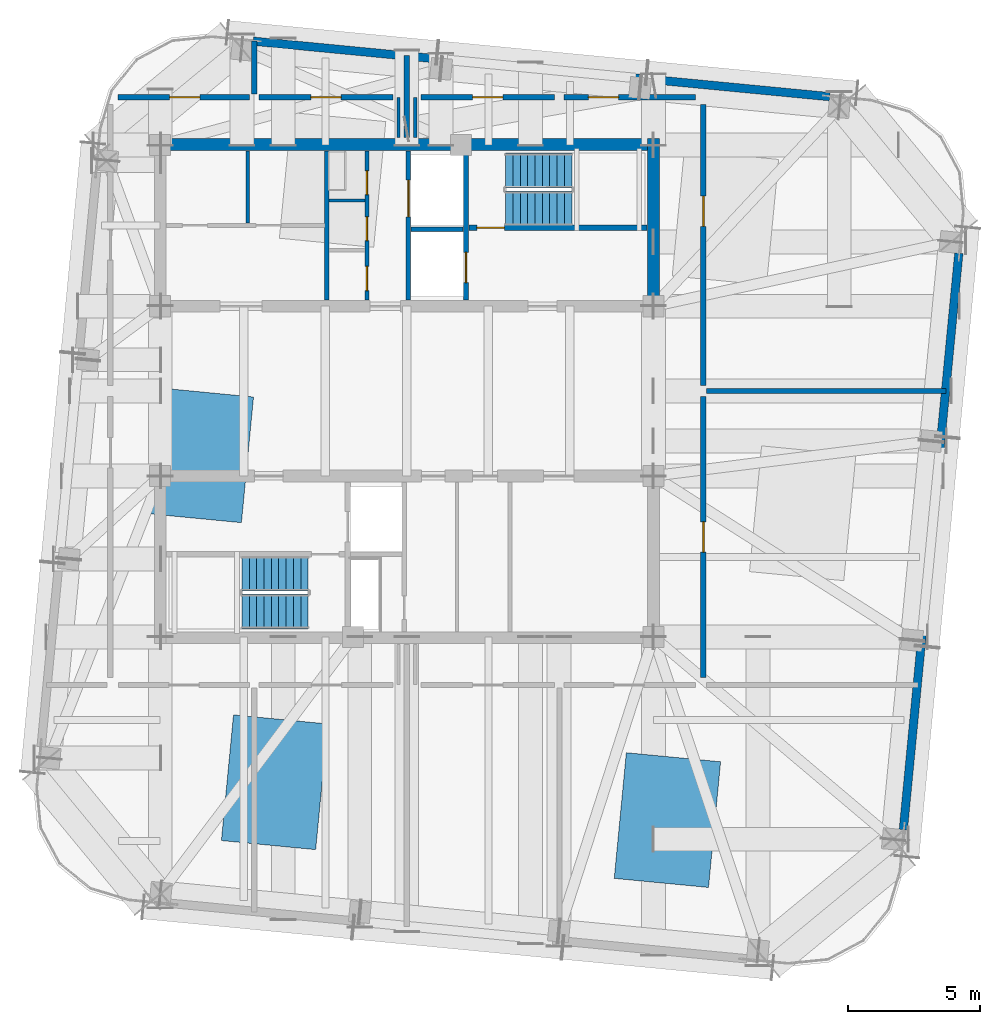
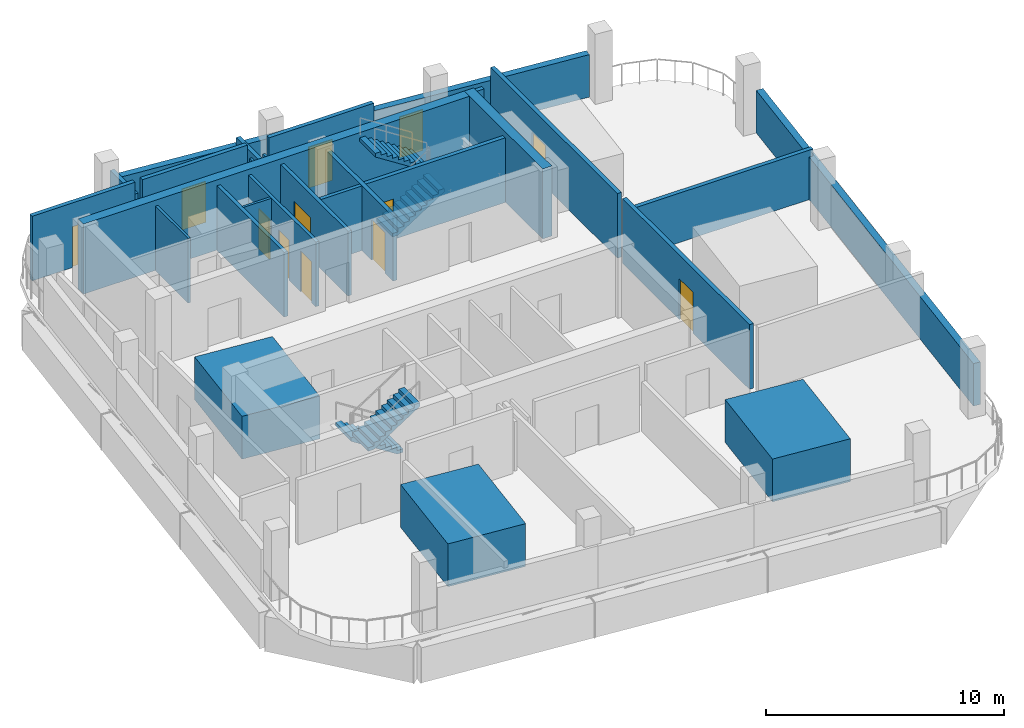
# One storey, part 5 of 10: 23 walls, 12 doors, 4 stair flights, 3 discrete accessories, 12 openings, 2 elements without a shape of their own.
"""IFC4 building model written with IfcOpenShell, lengths in metres."""

from ifc_helpers import new_model, si_unit, direction, frame, frame_2d, origin, origin_2d, place, context, subcontext, project, spatial, polyline, rectangle, outline, extrude, material, layer, layer_set, type_object, element, fill, aggregate, save


model = new_model("IFC4")

# Units and contexts
model_context = context("Model", 3, precision=1e-05, world=origin(), true_north=direction((0.0, 1.0)))
body_context = subcontext(model_context, "Body", "Model", "MODEL_VIEW")
ifc_project = project(units=[si_unit("LENGTHUNIT", "METRE"), si_unit("AREAUNIT", "SQUARE_METRE"), si_unit("VOLUMEUNIT", "CUBIC_METRE"), si_unit("PLANEANGLEUNIT", "RADIAN"), si_unit("MASSUNIT", "GRAM", prefix="KILO")], contexts=[model_context])

# Site, building, storey
site_placement = place(None, origin())
site = spatial("IfcSite", under=ifc_project, at=site_placement, CompositionType="ELEMENT")
building_placement = place(site_placement, origin())
building = spatial("IfcBuilding", under=site, at=building_placement, Name="Qhalaya Broadcast Tower", CompositionType="ELEMENT")
storey_placement = place(building_placement, frame((0.0, 0.0, 289.25)))
storey = spatial("IfcBuildingStorey", under=building, at=storey_placement, Name="L85", CompositionType="ELEMENT", Elevation=289.25)

# Wall, openings, doors
ifc_material_1 = material(Name="Gypsum Acoustic Partition")
ifc_layer_1 = layer(ifc_material_1, 0.14990234375, Name="Gypsum Acoustic Partition")
ifc_layer_set_1 = layer_set([ifc_layer_1], Name="Gypsum Acoustic Partition")
wall_type_1 = type_object("IfcWallType", Name="Corridor & Tenancy Acoustic Partition 150", PredefinedType="PARTITIONING", material=ifc_layer_set_1)
wall_1_placement = place(storey_placement, frame((-1.52001953125, 4.070068359375, 0.0), z_axis=(0.0, 0.0, 1.0), x_axis=(0.0, 1.0, 0.0)))
wall_1 = element("IfcWall", 1, at=wall_1_placement, inside=storey, type_object=wall_type_1, Name="L85 Partition Wall NCW-SVL", PredefinedType="PARTITIONING", context=body_context, shape_type="SweptSolid", body=[
    extrude(rectangle(XDim=5.659912109375, YDim=0.14990234375, at=frame_2d((2.830078125, 0.0))), origin(), (0.0, 0.0, 1.0), 3.320068359375),
])
opening_1_placement = place(wall_1_placement, frame((4.0, 0.0, 0.0)))
opening_1 = element("IfcOpeningElement", 2, at=opening_1_placement, cuts=wall_1, Name="Opening D06", PredefinedType="OPENING", context=body_context, shape_type="SweptSolid", body=[
    extrude(rectangle(XDim=0.89990234375, YDim=2.050048828125, at=frame_2d((0.449951171875, 1.02490234375))), frame((0.0, 0.0869140625, 0.0), z_axis=(0.0, -1.0, 0.0), x_axis=(1.0, 0.0, 0.0)), (0.0, 0.0, 1.0), 0.173828125),
])
opening_2_placement = place(wall_1_placement, frame((2.25, 0.0, 0.0)))
opening_2 = element("IfcOpeningElement", 3, at=opening_2_placement, cuts=wall_1, Name="Opening D06", PredefinedType="OPENING", context=body_context, shape_type="SweptSolid", body=[
    extrude(rectangle(XDim=0.89990234375, YDim=2.050048828125, at=frame_2d((0.449951171875, 1.02490234375))), frame((0.0, 0.0869140625, 0.0), z_axis=(0.0, -1.0, 0.0), x_axis=(1.0, 0.0, 0.0)), (0.0, 0.0, 1.0), 0.173828125),
])
opening_3_placement = place(wall_1_placement, frame((0.35009765625, 0.0, 0.0)))
opening_3 = element("IfcOpeningElement", 4, at=opening_3_placement, cuts=wall_1, Name="Opening D12", PredefinedType="OPENING", context=body_context, shape_type="SweptSolid", body=[
    extrude(rectangle(XDim=0.919921875, YDim=2.10009765625, at=frame_2d((0.4599609375, 1.050048828125))), frame((0.0, 0.0869140625, 0.0), z_axis=(0.0, -1.0, 0.0), x_axis=(1.0, 0.0, 0.0)), (0.0, 0.0, 1.0), 0.173828125),
])
ifc_material_2 = material(Name="Timber Veneer Acoustic Door", Category="wood")
door_type_1 = type_object("IfcDoorType", Name="Accessible WC & Restroom Door D12", OperationType="NOTDEFINED", PredefinedType="DOOR", material=ifc_material_2)
door_1_placement = place(opening_3_placement, origin())
door_1 = element("IfcDoor", 5, at=door_1_placement, inside=storey, type_object=door_type_1, Name="L85 Door D-NCWC", OperationType="SINGLE_SWING_RIGHT", OverallHeight=2.10009765625, OverallWidth=0.919921875, PredefinedType="DOOR", context=body_context, shape_type="SweptSolid", body=[
    extrude(rectangle(XDim=0.919921875, YDim=2.10009765625, at=frame_2d((0.4599609375, 1.050048828125))), frame((0.0, 0.02490234375, 0.0), z_axis=(0.0, -1.0, 0.0), x_axis=(1.0, 0.0, 0.0)), (0.0, 0.0, 1.0), 0.050048828125),
])
fill(opening_3, door_1)
ifc_material_3 = material(Name="Fire-Rated Steel Door", Category="steel")
door_type_2 = type_object("IfcDoorType", Name="Riser & Electrical Shaft Access Door D06", OperationType="NOTDEFINED", PredefinedType="DOOR", material=ifc_material_3)
door_2_placement = place(opening_1_placement, origin())
door_2 = element("IfcDoor", 6, at=door_2_placement, inside=storey, type_object=door_type_2, Name="L85 Riser Shaft Access Door D-NRSR", OperationType="SINGLE_SWING_RIGHT", OverallHeight=2.050048828125, OverallWidth=0.89990234375, PredefinedType="DOOR", context=body_context, shape_type="SweptSolid", body=[
    extrude(rectangle(XDim=0.89990234375, YDim=2.050048828125, at=frame_2d((0.449951171875, 1.02490234375))), frame((0.0, 0.02490234375, 0.0), z_axis=(0.0, -1.0, 0.0), x_axis=(1.0, 0.0, 0.0)), (0.0, 0.0, 1.0), 0.050048828125),
])
fill(opening_1, door_2)
door_3_placement = place(opening_2_placement, origin())
door_3 = element("IfcDoor", 7, at=door_3_placement, inside=storey, type_object=door_type_2, Name="L85 Door D-NITR", OperationType="SINGLE_SWING_LEFT", OverallHeight=2.050048828125, OverallWidth=0.89990234375, PredefinedType="DOOR", context=body_context, shape_type="SweptSolid", body=[
    extrude(rectangle(XDim=0.89990234375, YDim=2.050048828125, at=frame_2d((0.449951171875, 1.02490234375))), frame((0.0, 0.02490234375, 0.0), z_axis=(0.0, -1.0, 0.0), x_axis=(1.0, 0.0, 0.0)), (0.0, 0.0, 1.0), 0.050048828125),
])
fill(opening_2, door_3)

# Wall
ifc_layer_2 = layer(ifc_material_1, 0.199951171875, Name="Gypsum Acoustic Partition")
ifc_layer_set_2 = layer_set([ifc_layer_2], Name="Gypsum Acoustic Partition")
wall_type_2 = type_object("IfcWallType", Name="Firefighting Lobby & Stair Enclosure Wall 200", PredefinedType="PARTITIONING", material=ifc_layer_set_2)
wall_2_placement = place(storey_placement, frame((0.0, 10.239990234375, 0.0), z_axis=(0.0, 0.0, 1.0), x_axis=(0.0, 1.0, 0.0)))
element("IfcWall", 8, at=wall_2_placement, inside=storey, type_object=wall_type_2, Name="L85 Partition Wall W-OBN", PredefinedType="PARTITIONING", context=body_context, shape_type="SweptSolid", body=[
    extrude(rectangle(XDim=3.1171875, YDim=0.199951171875, at=frame_2d((1.55859375, 0.0))), origin(), (0.0, 0.0, 1.0), 2.5380859375),
])

# Wall, opening, door
wall_3_placement = place(storey_placement, frame((-5.97998046875, 11.77001953125, 0.0), z_axis=(0.0, 0.0, 1.0), x_axis=(-1.0, 0.0, 0.0)))
wall_3 = element("IfcWall", 9, at=wall_3_placement, inside=storey, type_object=wall_type_2, Name="L85 Partition Wall W-PCN0", PredefinedType="PARTITIONING", context=body_context, shape_type="SweptSolid", body=[
    extrude(rectangle(XDim=4.989990234375, YDim=0.199951171875, at=frame_2d((2.4951171875, 0.0))), origin(), (0.0, 0.0, 1.0), 3.320068359375),
])
opening_4_placement = place(wall_3_placement, frame((1.889892578125, 0.0, 0.0)))
opening_4 = element("IfcOpeningElement", 10, at=opening_4_placement, cuts=wall_3, Name="Opening D05", PredefinedType="OPENING", context=body_context, shape_type="SweptSolid", body=[
    extrude(rectangle(XDim=1.14990234375, YDim=2.10009765625, at=frame_2d((0.574951171875, 1.050048828125))), frame((0.0, 0.112060546875, 0.0), z_axis=(0.0, -1.0, 0.0), x_axis=(1.0, 0.0, 0.0)), (0.0, 0.0, 1.0), 0.223876953125),
])
door_type_3 = type_object("IfcDoorType", Name="Refuge & Plant Room Fire Door D05", OperationType="NOTDEFINED", PredefinedType="DOOR", material=ifc_material_3)
door_4_placement = place(opening_4_placement, origin())
door_4 = element("IfcDoor", 11, at=door_4_placement, inside=storey, type_object=door_type_3, Name="L85 Door D-PCN0", OperationType="SINGLE_SWING_LEFT", OverallHeight=2.10009765625, OverallWidth=1.14990234375, PredefinedType="DOOR", context=body_context, shape_type="SweptSolid", body=[
    extrude(rectangle(XDim=1.14990234375, YDim=2.10009765625, at=frame_2d((0.574951171875, 1.050048828125))), frame((0.0, 0.02490234375, 0.0), z_axis=(0.0, -1.0, 0.0), x_axis=(1.0, 0.0, 0.0)), (0.0, 0.0, 1.0), 0.050048828125),
])
fill(opening_4, door_4)

# Wall
wall_4_placement = place(storey_placement, frame((-5.800048828125, 11.889892578125, 0.0), z_axis=(0.0, 0.0, 1.0), x_axis=(0.0, 1.0, 0.0)))
element("IfcWall", 12, at=wall_4_placement, inside=storey, type_object=wall_type_2, Name="L85 Partition Wall W-PDN1", PredefinedType="PARTITIONING", context=body_context, shape_type="SweptSolid", body=[
    extrude(rectangle(XDim=2.025634765625, YDim=0.199951171875, at=frame_2d((1.0126953125, 0.0))), origin(), (0.0, 0.0, 1.0), 2.5380859375),
])

# Wall, opening, door
wall_5_placement = place(storey_placement, frame((-0.530029296875, 11.77001953125, 0.0), z_axis=(0.0, 0.0, 1.0), x_axis=(-1.0, 0.0, 0.0)))
wall_5 = element("IfcWall", 13, at=wall_5_placement, inside=storey, type_object=wall_type_2, Name="L85 Partition Wall W-PCN1", PredefinedType="PARTITIONING", context=body_context, shape_type="SweptSolid", body=[
    extrude(rectangle(XDim=5.090087890625, YDim=0.199951171875, at=frame_2d((2.544921875, 0.0))), origin(), (0.0, 0.0, 1.0), 3.320068359375),
])
opening_5_placement = place(wall_5_placement, frame((1.969970703125, 0.0, 0.0)))
opening_5 = element("IfcOpeningElement", 14, at=opening_5_placement, cuts=wall_5, Name="Opening D05", PredefinedType="OPENING", context=body_context, shape_type="SweptSolid", body=[
    extrude(rectangle(XDim=1.14990234375, YDim=2.10009765625, at=frame_2d((0.574951171875, 1.050048828125))), frame((0.0, 0.112060546875, 0.0), z_axis=(0.0, -1.0, 0.0), x_axis=(1.0, 0.0, 0.0)), (0.0, 0.0, 1.0), 0.223876953125),
])
door_5_placement = place(opening_5_placement, origin())
door_5 = element("IfcDoor", 15, at=door_5_placement, inside=storey, type_object=door_type_3, Name="L85 Door D-PCN1", OperationType="SINGLE_SWING_LEFT", OverallHeight=2.10009765625, OverallWidth=1.14990234375, PredefinedType="DOOR", context=body_context, shape_type="SweptSolid", body=[
    extrude(rectangle(XDim=1.14990234375, YDim=2.10009765625, at=frame_2d((0.574951171875, 1.050048828125))), frame((0.0, 0.02490234375, 0.0), z_axis=(0.0, -1.0, 0.0), x_axis=(1.0, 0.0, 0.0)), (0.0, 0.0, 1.0), 0.050048828125),
])
fill(opening_5, door_5)

wall_6_placement = place(storey_placement, frame((5.6201171875, 11.77001953125, 0.0), z_axis=(0.0, 0.0, 1.0), x_axis=(-1.0, 0.0, 0.0)))
wall_6 = element("IfcWall", 16, at=wall_6_placement, inside=storey, type_object=wall_type_2, Name="L85 Partition Wall W-PCN2", PredefinedType="PARTITIONING", context=body_context, shape_type="SweptSolid", body=[
    extrude(rectangle(XDim=5.090087890625, YDim=0.199951171875, at=frame_2d((2.544921875, 0.0))), origin(), (0.0, 0.0, 1.0), 3.320068359375),
])
opening_6_placement = place(wall_6_placement, frame((1.969970703125, 0.0, 0.0)))
opening_6 = element("IfcOpeningElement", 17, at=opening_6_placement, cuts=wall_6, Name="Opening D05", PredefinedType="OPENING", context=body_context, shape_type="SweptSolid", body=[
    extrude(rectangle(XDim=1.14990234375, YDim=2.10009765625, at=frame_2d((0.574951171875, 1.050048828125))), frame((0.0, 0.112060546875, 0.0), z_axis=(0.0, -1.0, 0.0), x_axis=(1.0, 0.0, 0.0)), (0.0, 0.0, 1.0), 0.223876953125),
])
door_6_placement = place(opening_6_placement, origin())
door_6 = element("IfcDoor", 18, at=door_6_placement, inside=storey, type_object=door_type_3, Name="L85 Door D-PCN2", OperationType="SINGLE_SWING_LEFT", OverallHeight=2.10009765625, OverallWidth=1.14990234375, PredefinedType="DOOR", context=body_context, shape_type="SweptSolid", body=[
    extrude(rectangle(XDim=1.14990234375, YDim=2.10009765625, at=frame_2d((0.574951171875, 1.050048828125))), frame((0.0, 0.02490234375, 0.0), z_axis=(0.0, -1.0, 0.0), x_axis=(1.0, 0.0, 0.0)), (0.0, 0.0, 1.0), 0.050048828125),
])
fill(opening_6, door_6)

wall_7_placement = place(storey_placement, frame((10.969970703125, 11.77001953125, 0.0), z_axis=(0.0, 0.0, 1.0), x_axis=(-1.0, 0.0, 0.0)))
wall_7 = element("IfcWall", 19, at=wall_7_placement, inside=storey, type_object=wall_type_2, Name="L85 Partition Wall W-PCN3", PredefinedType="PARTITIONING", context=body_context, shape_type="SweptSolid", body=[
    extrude(rectangle(XDim=4.989990234375, YDim=0.199951171875, at=frame_2d((2.4951171875, 0.0))), origin(), (0.0, 0.0, 1.0), 2.181884765625),
])
opening_7_placement = place(wall_7_placement, frame((2.919921875, 0.0, 0.0)))
opening_7 = element("IfcOpeningElement", 20, at=opening_7_placement, cuts=wall_7, Name="Opening D05", PredefinedType="OPENING", context=body_context, shape_type="SweptSolid", body=[
    extrude(rectangle(XDim=1.14990234375, YDim=2.10009765625, at=frame_2d((0.574951171875, 1.050048828125))), frame((0.0, 0.112060546875, 0.0), z_axis=(0.0, -1.0, 0.0), x_axis=(1.0, 0.0, 0.0)), (0.0, 0.0, 1.0), 0.223876953125),
])
door_7_placement = place(opening_7_placement, origin())
door_7 = element("IfcDoor", 21, at=door_7_placement, inside=storey, type_object=door_type_3, Name="L85 Door D-PCN3", OperationType="SINGLE_SWING_LEFT", OverallHeight=2.10009765625, OverallWidth=1.14990234375, PredefinedType="DOOR", context=body_context, shape_type="SweptSolid", body=[
    extrude(rectangle(XDim=1.14990234375, YDim=2.10009765625, at=frame_2d((0.574951171875, 1.050048828125))), frame((0.0, 0.02490234375, 0.0), z_axis=(0.0, -1.0, 0.0), x_axis=(1.0, 0.0, 0.0)), (0.0, 0.0, 1.0), 0.050048828125),
])
fill(opening_7, door_7)

# Wall
wall_8_placement = place(storey_placement, frame((11.389892578125, 0.60009765625, 0.0), z_axis=(0.0, 0.0, 1.0), x_axis=(1.0, 0.0, 0.0)))
element("IfcWall", 22, at=wall_8_placement, inside=storey, type_object=wall_type_2, Name="L85 Partition Wall W-PDE1", PredefinedType="PARTITIONING", context=body_context, shape_type="SweptSolid", body=[
    extrude(rectangle(XDim=9.10498046875, YDim=0.199951171875, at=frame_2d((4.552490234375, 0.0))), origin(), (0.0, 0.0, 1.0), 2.5380859375),
])

# Wall, opening, door
wall_9_placement = place(storey_placement, frame((11.27001953125, -10.2900390625, 0.0), z_axis=(0.0, 0.0, 1.0), x_axis=(0.0, 1.0, 0.0)))
wall_9 = element("IfcWall", 23, at=wall_9_placement, inside=storey, type_object=wall_type_2, Name="L85 Partition Wall W-PCE1", PredefinedType="PARTITIONING", context=body_context, shape_type="SweptSolid", body=[
    extrude(rectangle(XDim=10.679931640625, YDim=0.199951171875, at=frame_2d((5.33984375, 0.0))), origin(), (0.0, 0.0, 1.0), 3.320068359375),
])
opening_8_placement = place(wall_9_placement, frame((4.764892578125, 0.0, 0.0)))
opening_8 = element("IfcOpeningElement", 24, at=opening_8_placement, cuts=wall_9, Name="Opening D05", PredefinedType="OPENING", context=body_context, shape_type="SweptSolid", body=[
    extrude(rectangle(XDim=1.14990234375, YDim=2.10009765625, at=frame_2d((0.574951171875, 1.050048828125))), frame((0.0, 0.112060546875, 0.0), z_axis=(0.0, -1.0, 0.0), x_axis=(1.0, 0.0, 0.0)), (0.0, 0.0, 1.0), 0.223876953125),
])
door_8_placement = place(opening_8_placement, origin())
door_8 = element("IfcDoor", 25, at=door_8_placement, inside=storey, type_object=door_type_3, Name="L85 Door D-PCE1", OperationType="SINGLE_SWING_RIGHT", OverallHeight=2.10009765625, OverallWidth=1.14990234375, PredefinedType="DOOR", context=body_context, shape_type="SweptSolid", body=[
    extrude(rectangle(XDim=1.14990234375, YDim=2.10009765625, at=frame_2d((0.574951171875, 1.050048828125))), frame((0.0, 0.02490234375, 0.0), z_axis=(0.0, -1.0, 0.0), x_axis=(1.0, 0.0, 0.0)), (0.0, 0.0, 1.0), 0.050048828125),
])
fill(opening_8, door_8)

wall_10_placement = place(storey_placement, frame((11.27001953125, 0.81005859375, 0.0), z_axis=(0.0, 0.0, 1.0), x_axis=(0.0, 1.0, 0.0)))
wall_10 = element("IfcWall", 26, at=wall_10_placement, inside=storey, type_object=wall_type_2, Name="L85 Partition Wall W-PCE2", PredefinedType="PARTITIONING", context=body_context, shape_type="SweptSolid", body=[
    extrude(rectangle(XDim=10.679931640625, YDim=0.199951171875, at=frame_2d((5.33984375, 0.0))), origin(), (0.0, 0.0, 1.0), 3.320068359375),
])
opening_9_placement = place(wall_10_placement, frame((6.047119140625, 0.0, 0.0)))
opening_9 = element("IfcOpeningElement", 27, at=opening_9_placement, cuts=wall_10, Name="Opening D05", PredefinedType="OPENING", context=body_context, shape_type="SweptSolid", body=[
    extrude(rectangle(XDim=1.14990234375, YDim=2.10009765625, at=frame_2d((0.574951171875, 1.050048828125))), frame((0.0, 0.112060546875, 0.0), z_axis=(0.0, -1.0, 0.0), x_axis=(1.0, 0.0, 0.0)), (0.0, 0.0, 1.0), 0.223876953125),
])
door_9_placement = place(opening_9_placement, origin())
door_9 = element("IfcDoor", 28, at=door_9_placement, inside=storey, type_object=door_type_3, Name="L85 Door D-PCE2", OperationType="SINGLE_SWING_LEFT", OverallHeight=2.10009765625, OverallWidth=1.14990234375, PredefinedType="DOOR", context=body_context, shape_type="SweptSolid", body=[
    extrude(rectangle(XDim=1.14990234375, YDim=2.10009765625, at=frame_2d((0.574951171875, 1.050048828125))), frame((0.0, 0.02490234375, 0.0), z_axis=(0.0, -1.0, 0.0), x_axis=(1.0, 0.0, 0.0)), (0.0, 0.0, 1.0), 0.050048828125),
])
fill(opening_9, door_9)

ifc_material_4 = material(Name="Concrete C50/60", Category="concrete")
ifc_layer_3 = layer(ifc_material_4, 0.199951171875, Name="Concrete C50/60")
ifc_layer_set_3 = layer_set([ifc_layer_3], Name="Concrete C50/60")
wall_type_3 = type_object("IfcWallType", Name="Load-Bearing Stair Shaft Wall 200", PredefinedType="SHEAR", material=ifc_layer_set_3)
wall_11_placement = place(storey_placement, frame((2.360107421875, 6.804931640625, 0.0), z_axis=(0.0, 0.0, 1.0), x_axis=(1.0, 0.0, 0.0)))
wall_11 = element("IfcWall", 29, at=wall_11_placement, inside=storey, type_object=wall_type_3, Name="L85 Stair Core Shear Wall NCW-ST1", PredefinedType="SHEAR", context=body_context, shape_type="SweptSolid", body=[
    extrude(rectangle(XDim=6.769775390625, YDim=0.199951171875, at=frame_2d((3.384765625, 0.0))), origin(), (0.0, 0.0, 1.0), 3.320068359375),
])
opening_10_placement = place(wall_11_placement, frame((0.300048828125, 0.0, 0.0)))
opening_10 = element("IfcOpeningElement", 30, at=opening_10_placement, cuts=wall_11, Name="Opening D03", PredefinedType="OPENING", context=body_context, shape_type="SweptSolid", body=[
    extrude(rectangle(XDim=1.050048828125, YDim=2.080078125, at=frame_2d((0.52490234375, 1.0400390625))), frame((0.0, 0.112060546875, 0.0), z_axis=(0.0, -1.0, 0.0), x_axis=(1.0, 0.0, 0.0)), (0.0, 0.0, 1.0), 0.223876953125),
])
door_type_4 = type_object("IfcDoorType", Name="Core Stair Protected Fire Door D03", OperationType="NOTDEFINED", PredefinedType="DOOR", material=ifc_material_3)
door_10_placement = place(opening_10_placement, origin())
door_10 = element("IfcDoor", 31, at=door_10_placement, inside=storey, type_object=door_type_4, Name="L85 Door D-NST1", OperationType="SINGLE_SWING_LEFT", OverallHeight=2.080078125, OverallWidth=1.050048828125, PredefinedType="DOOR", context=body_context, shape_type="SweptSolid", body=[
    extrude(rectangle(XDim=1.050048828125, YDim=2.080078125, at=frame_2d((0.52490234375, 1.0400390625))), frame((0.0, 0.02490234375, 0.0), z_axis=(0.0, -1.0, 0.0), x_axis=(1.0, 0.0, 0.0)), (0.0, 0.0, 1.0), 0.050048828125),
])
fill(opening_10, door_10)

wall_12_placement = place(storey_placement, frame((2.25, 4.070068359375, 0.0), z_axis=(0.0, 0.0, 1.0), x_axis=(0.0, 1.0, 0.0)))
wall_12 = element("IfcWall", 32, at=wall_12_placement, inside=storey, type_object=wall_type_3, Name="L85 Stair Core Shear Wall NCW-FF", PredefinedType="SHEAR", context=body_context, shape_type="SweptSolid", body=[
    extrude(rectangle(XDim=5.659912109375, YDim=0.199951171875, at=frame_2d((2.830078125, 0.0))), origin(), (0.0, 0.0, 1.0), 3.320068359375),
])
opening_11_placement = place(wall_12_placement, frame((0.64990234375, 0.0, 0.0)))
opening_11 = element("IfcOpeningElement", 33, at=opening_11_placement, cuts=wall_12, Name="Opening LD2", PredefinedType="OPENING", context=body_context, shape_type="SweptSolid", body=[
    extrude(rectangle(XDim=1.14990234375, YDim=2.080078125, at=frame_2d((0.574951171875, 1.0400390625))), frame((0.0, 0.112060546875, 0.0), z_axis=(0.0, -1.0, 0.0), x_axis=(1.0, 0.0, 0.0)), (0.0, 0.0, 1.0), 0.223876953125),
])
ifc_material_5 = material(Name="Brushed Stainless Steel Lift Door", Category="steel")
door_type_5 = type_object("IfcDoorType", Name="Firefighting Lift Sliding Landing Door LD2", OperationType="DOUBLE_DOOR_SLIDING", PredefinedType="DOOR", material=ifc_material_5)
door_11_placement = place(opening_11_placement, origin())
door_11 = element("IfcDoor", 34, at=door_11_placement, inside=storey, type_object=door_type_5, Name="L85 Door LD-FF1", OperationType="DOUBLE_DOOR_SLIDING", OverallHeight=2.080078125, OverallWidth=1.14990234375, PredefinedType="DOOR", context=body_context, shape_type="SweptSolid", body=[
    extrude(rectangle(XDim=1.14990234375, YDim=2.080078125, at=frame_2d((0.574951171875, 1.0400390625))), frame((0.0, 0.02490234375, 0.0), z_axis=(0.0, -1.0, 0.0), x_axis=(1.0, 0.0, 0.0)), (0.0, 0.0, 1.0), 0.050048828125),
])
fill(opening_11, door_11)

# Walls
ifc_layer_4 = layer(ifc_material_1, 0.1201171875, Name="Gypsum Acoustic Partition")
ifc_layer_set_4 = layer_set([ifc_layer_4], Name="Gypsum Acoustic Partition")
wall_type_4 = type_object("IfcWallType", Name="Office, Booth & Sanitary Partition 120", PredefinedType="PARTITIONING", material=ifc_layer_set_4)
wall_13_placement = place(storey_placement, frame((-2.9599609375, 7.85009765625, 0.0), z_axis=(0.0, 0.0, 1.0), x_axis=(1.0, 0.0, 0.0)))
element("IfcWall", 35, at=wall_13_placement, inside=storey, type_object=wall_type_4, Name="L85 Partition Wall NCW-VB2", PredefinedType="PARTITIONING", context=body_context, shape_type="SweptSolid", body=[
    extrude(rectangle(XDim=1.35986328125, YDim=0.1201171875, at=frame_2d((0.679931640625, 0.0))), origin(), (0.0, 0.0, 1.0), 3.320068359375),
])
wall_14_placement = place(storey_placement, frame((-6.050048828125, 6.97998046875, 0.0), z_axis=(0.0, 0.0, 1.0), x_axis=(0.0, 1.0, 0.0)))
element("IfcWall", 36, at=wall_14_placement, inside=storey, type_object=wall_type_4, Name="L85 Partition Wall NCW-REC2", PredefinedType="PARTITIONING", context=body_context, shape_type="SweptSolid", body=[
    extrude(rectangle(XDim=2.75, YDim=0.1201171875, at=frame_2d((1.375, 0.0))), origin(), (0.0, 0.0, 1.0), 3.320068359375),
])
for number, where, z_axis, x_axis, name in (
    (37, (-0.320068359375, 10.239990234375, 0.0), (0.0, 0.0, 1.0), (0.0, 1.0, 0.0), "L85 Partition Wall W-OBNCW"),
    (38, (0.320068359375, 10.239990234375, 0.0), (0.0, 0.0, 1.0), (0.0, 1.0, 0.0), "L85 Partition Wall W-OBNCE"),
):
    element("IfcWall", number, at=place(storey_placement, frame(where, z_axis=z_axis, x_axis=x_axis)), inside=storey, type_object=wall_type_4, Name=name, PredefinedType="PARTITIONING", context=body_context, shape_type="SweptSolid", body=[
        extrude(rectangle(XDim=1.510009765625, YDim=0.1201171875, at=frame_2d((0.7548828125, 0.0))), origin(), (0.0, 0.0, 1.0), 2.5380859375),
    ])
ifc_material_6 = material(Name="Precast Concrete C40/50", Category="concrete")
ifc_layer_5 = layer(ifc_material_6, 0.320068359375, Name="Precast Concrete C40/50")
ifc_layer_set_5 = layer_set([ifc_layer_5], Name="Precast Concrete C40/50")
wall_type_5 = type_object("IfcWallType", Name="Recessed Neck Insulated Exterior Wall 320", PredefinedType="SOLIDWALL", material=ifc_layer_set_5)
for number, where, z_axis, x_axis, name in (
    (39, (20.979736328125, 5.84375, 0.0), (0.0, 0.0, 1.0), (-0.095842731181, -0.995396489284, 0.0), "L85 Exterior Facade Wall E"),
    (40, (-5.84375, 13.899658203125, 0.0), (0.0, 0.0, 1.0), (0.995396489284, -0.095842731181, 0.0), "L85 Exterior Facade Wall N"),
):
    element("IfcWall", number, at=place(storey_placement, frame(where, z_axis=z_axis, x_axis=x_axis)), inside=storey, type_object=wall_type_5, Name=name, PredefinedType="SOLIDWALL", context=body_context, shape_type="SweptSolid", body=[
        extrude(rectangle(XDim=22.02392578125, YDim=0.320068359375, at=frame_2d((11.011962890625, 0.0))), origin(), (0.0, 0.0, 1.0), 2.181884765625),
    ])

# Wall, opening, door
ifc_layer_6 = layer(ifc_material_1, 0.175048828125, Name="Gypsum Acoustic Partition")
ifc_layer_set_6 = layer_set([ifc_layer_6], Name="Gypsum Acoustic Partition")
wall_type_6 = type_object("IfcWallType", Name="Shaft & Riser Fire Partition 175", PredefinedType="PARTITIONING", material=ifc_layer_set_6)
wall_15_placement = place(storey_placement, frame((0.06005859375, 4.070068359375, 0.0), z_axis=(0.0, 0.0, 1.0), x_axis=(0.0, 1.0, 0.0)))
wall_15 = element("IfcWall", 41, at=wall_15_placement, inside=storey, type_object=wall_type_6, Name="L85 Partition Wall NCW-SVW", PredefinedType="PARTITIONING", context=body_context, shape_type="SweptSolid", body=[
    extrude(rectangle(XDim=5.659912109375, YDim=0.175048828125, at=frame_2d((2.830078125, 0.0))), origin(), (0.0, 0.0, 1.0), 3.320068359375),
])
opening_12_placement = place(wall_15_placement, frame((3.14990234375, 0.0, 0.0)))
opening_12 = element("IfcOpeningElement", 42, at=opening_12_placement, cuts=wall_15, Name="Opening LD3", PredefinedType="OPENING", context=body_context, shape_type="SweptSolid", body=[
    extrude(rectangle(XDim=1.39990234375, YDim=2.1201171875, at=frame_2d((0.699951171875, 1.06005859375))), frame((0.0, 0.099609375, 0.0), z_axis=(0.0, -1.0, 0.0), x_axis=(1.0, 0.0, 0.0)), (0.0, 0.0, 1.0), 0.198974609375),
])
door_type_6 = type_object("IfcDoorType", Name="Service Lift Wide Sliding Landing Door LD3", OperationType="DOUBLE_DOOR_SLIDING", PredefinedType="DOOR", material=ifc_material_5)
door_12_placement = place(opening_12_placement, origin())
door_12 = element("IfcDoor", 43, at=door_12_placement, inside=storey, type_object=door_type_6, Name="L85 Door LD-SV1", OperationType="DOUBLE_DOOR_SLIDING", OverallHeight=2.1201171875, OverallWidth=1.39990234375, PredefinedType="DOOR", context=body_context, shape_type="SweptSolid", body=[
    extrude(rectangle(XDim=1.39990234375, YDim=2.1201171875, at=frame_2d((0.699951171875, 1.06005859375))), frame((0.0, 0.02490234375, 0.0), z_axis=(0.0, -1.0, 0.0), x_axis=(1.0, 0.0, 0.0)), (0.0, 0.0, 1.0), 0.050048828125),
])
fill(opening_12, door_12)

# Walls
wall_16_placement = place(storey_placement, frame((0.159912109375, 6.75, 0.0), z_axis=(0.0, 0.0, 1.0), x_axis=(1.0, 0.0, 0.0)))
element("IfcWall", 44, at=wall_16_placement, inside=storey, type_object=wall_type_6, Name="L85 Partition Wall NCW-SVM", PredefinedType="PARTITIONING", context=body_context, shape_type="SweptSolid", body=[
    extrude(rectangle(XDim=1.97998046875, YDim=0.175048828125, at=frame_2d((0.989990234375, 0.0))), origin(), (0.0, 0.0, 1.0), 3.320068359375),
])
wall_17_placement = place(storey_placement, frame((-3.0400390625, 4.070068359375, 0.0), z_axis=(0.0, 0.0, 1.0), x_axis=(0.0, 1.0, 0.0)))
element("IfcWall", 45, at=wall_17_placement, inside=storey, type_object=wall_type_6, Name="L85 Partition Wall NCW-VRW", PredefinedType="PARTITIONING", context=body_context, shape_type="SweptSolid", body=[
    extrude(rectangle(XDim=5.659912109375, YDim=0.175048828125, at=frame_2d((2.830078125, 0.0))), origin(), (0.0, 0.0, 1.0), 3.320068359375),
])
ifc_layer_7 = layer(ifc_material_4, 0.449951171875, Name="Concrete C50/60")
ifc_layer_set_7 = layer_set([ifc_layer_7], Name="Concrete C50/60")
wall_type_7 = type_object("IfcWallType", Name="Upper Split-Core Shear Wall 450", PredefinedType="SHEAR", material=ifc_layer_set_7)
wall_18_placement = place(storey_placement, frame((-9.60009765625, 9.97509765625, 0.0), z_axis=(0.0, 0.0, 1.0), x_axis=(1.0, 0.0, 0.0)))
element("IfcWall", 46, at=wall_18_placement, inside=storey, type_object=wall_type_7, Name="L85 Split-Core Shear Wall CW-NN", PredefinedType="SHEAR", context=body_context, shape_type="SweptSolid", body=[
    extrude(rectangle(XDim=19.2001953125, YDim=0.449951171875, at=frame_2d((9.60009765625, 0.0))), origin(), (0.0, 0.0, 1.0), 3.60009765625),
])
wall_19_placement = place(storey_placement, frame((9.375, 3.60009765625, 0.0), z_axis=(0.0, 0.0, 1.0), x_axis=(0.0, 1.0, 0.0)))
element("IfcWall", 47, at=wall_19_placement, inside=storey, type_object=wall_type_7, Name="L85 Split-Core Shear Wall CW-NE", PredefinedType="SHEAR", context=body_context, shape_type="SweptSolid", body=[
    extrude(rectangle(XDim=6.599853515625, YDim=0.449951171875, at=frame_2d((3.2998046875, 0.0))), origin(), (0.0, 0.0, 1.0), 3.60009765625),
])

# Stair, stair flights
ifc_material_7 = material(Name="Concrete C40/50", Category="concrete")
stair_type = type_object("IfcStairType", Name="Protected Dogleg Core Stair 3600", PredefinedType="TWO_STRAIGHT_RUN_STAIR", material=ifc_material_7)
stair_1_placement = place(storey_placement, origin())
stair_1 = element("IfcStair", 48, at=stair_1_placement, inside=storey, type_object=stair_type, Name="L85 North Core Exit Stair ST-1", PredefinedType="TWO_STRAIGHT_RUN_STAIR")
stair_flight_type = type_object("IfcStairFlightType", Name="Precast Concrete Stair Flight 3600", PredefinedType="STRAIGHT", material=ifc_material_6)
stair_flight_1_placement = place(storey_placement, frame((3.75, 7.5400390625, 0.0), z_axis=(0.0, 0.0, 1.0), x_axis=(1.0, 0.0, 0.0)))
stair_flight_1 = element("IfcStairFlight", 49, at=stair_flight_1_placement, type_object=stair_flight_type, Name="ST-1 flight 1", NumberOfRisers=10, NumberOfTreads=9, PredefinedType="STRAIGHT", RiserHeight=0.18, TreadLength=0.28, context=body_context, shape_type="SweptSolid", body=[
    extrude(outline(polyline([(0.0, 0.0), (0.0, 0.179931640625), (0.280029296875, 0.179931640625), (0.280029296875, 0.360107421875), (0.56005859375, 0.360107421875), (0.56005859375, 0.5400390625), (0.840087890625, 0.5400390625), (0.840087890625, 0.719970703125), (1.1201171875, 0.719970703125), (1.1201171875, 0.89990234375), (1.39990234375, 0.89990234375), (1.39990234375, 1.080078125), (1.679931640625, 1.080078125), (1.679931640625, 1.260009765625), (1.9599609375, 1.260009765625), (1.9599609375, 1.43994140625), (2.239990234375, 1.43994140625), (2.239990234375, 1.6201171875), (2.52001953125, 1.6201171875), (2.52001953125, 1.800048828125), (2.52001953125, 1.44189453125), (0.277099609375, 0.0), (0.0, 0.0)])), frame((0.0, 0.66015625, 0.0), z_axis=(0.0, -1.0, 0.0), x_axis=(1.0, 0.0, 0.0)), (0.0, 0.0, 1.0), 1.320068359375),
])
stair_flight_2_placement = place(storey_placement, frame((6.27001953125, 8.97998046875, 1.800048828125), z_axis=(0.0, 0.0, 1.0), x_axis=(-1.0, 0.0, 0.0)))
stair_flight_2 = element("IfcStairFlight", 50, at=stair_flight_2_placement, type_object=stair_flight_type, Name="ST-1 flight 2", NumberOfRisers=10, NumberOfTreads=9, PredefinedType="STRAIGHT", RiserHeight=0.18, TreadLength=0.28, context=body_context, shape_type="SweptSolid", body=[
    extrude(outline(polyline([(0.0, 0.0), (0.0, 0.179931640625), (0.280029296875, 0.179931640625), (0.280029296875, 0.360107421875), (0.56005859375, 0.360107421875), (0.56005859375, 0.5400390625), (0.840087890625, 0.5400390625), (0.840087890625, 0.719970703125), (1.1201171875, 0.719970703125), (1.1201171875, 0.89990234375), (1.39990234375, 0.89990234375), (1.39990234375, 1.080078125), (1.679931640625, 1.080078125), (1.679931640625, 1.260009765625), (1.9599609375, 1.260009765625), (1.9599609375, 1.43994140625), (2.239990234375, 1.43994140625), (2.239990234375, 1.6201171875), (2.52001953125, 1.6201171875), (2.52001953125, 1.800048828125), (2.52001953125, 1.44189453125), (0.277099609375, 0.0), (0.0, 0.0)])), frame((0.0, 0.66015625, 0.0), z_axis=(0.0, -1.0, 0.0), x_axis=(1.0, 0.0, 0.0)), (0.0, 0.0, 1.0), 1.320068359375),
])
aggregate(stair_1, [stair_flight_1, stair_flight_2])

stair_2_placement = place(storey_placement, origin())
stair_2 = element("IfcStair", 51, at=stair_2_placement, inside=storey, type_object=stair_type, Name="L85 South Core Exit Stair ST-2", PredefinedType="TWO_STRAIGHT_RUN_STAIR")
stair_flight_3_placement = place(storey_placement, frame((-3.75, -6.340087890625, 0.0), z_axis=(0.0, 0.0, 1.0), x_axis=(-1.0, 0.0, 0.0)))
stair_flight_3 = element("IfcStairFlight", 52, at=stair_flight_3_placement, type_object=stair_flight_type, Name="ST-2 flight 1", NumberOfRisers=10, NumberOfTreads=9, PredefinedType="STRAIGHT", RiserHeight=0.18, TreadLength=0.28, context=body_context, shape_type="SweptSolid", body=[
    extrude(outline(polyline([(0.0, 0.0), (0.0, 0.179931640625), (0.280029296875, 0.179931640625), (0.280029296875, 0.360107421875), (0.56005859375, 0.360107421875), (0.56005859375, 0.5400390625), (0.840087890625, 0.5400390625), (0.840087890625, 0.719970703125), (1.1201171875, 0.719970703125), (1.1201171875, 0.89990234375), (1.39990234375, 0.89990234375), (1.39990234375, 1.080078125), (1.679931640625, 1.080078125), (1.679931640625, 1.260009765625), (1.9599609375, 1.260009765625), (1.9599609375, 1.43994140625), (2.239990234375, 1.43994140625), (2.239990234375, 1.6201171875), (2.52001953125, 1.6201171875), (2.52001953125, 1.800048828125), (2.52001953125, 1.44189453125), (0.277099609375, 0.0), (0.0, 0.0)])), frame((0.0, 0.66015625, 0.0), z_axis=(0.0, -1.0, 0.0), x_axis=(1.0, 0.0, 0.0)), (0.0, 0.0, 1.0), 1.320068359375),
])
stair_flight_4_placement = place(storey_placement, frame((-6.27001953125, -7.780029296875, 1.800048828125), z_axis=(0.0, 0.0, 1.0), x_axis=(1.0, 0.0, 0.0)))
stair_flight_4 = element("IfcStairFlight", 53, at=stair_flight_4_placement, type_object=stair_flight_type, Name="ST-2 flight 2", NumberOfRisers=10, NumberOfTreads=9, PredefinedType="STRAIGHT", RiserHeight=0.18, TreadLength=0.28, context=body_context, shape_type="SweptSolid", body=[
    extrude(outline(polyline([(0.0, 0.0), (0.0, 0.179931640625), (0.280029296875, 0.179931640625), (0.280029296875, 0.360107421875), (0.56005859375, 0.360107421875), (0.56005859375, 0.5400390625), (0.840087890625, 0.5400390625), (0.840087890625, 0.719970703125), (1.1201171875, 0.719970703125), (1.1201171875, 0.89990234375), (1.39990234375, 0.89990234375), (1.39990234375, 1.080078125), (1.679931640625, 1.080078125), (1.679931640625, 1.260009765625), (1.9599609375, 1.260009765625), (1.9599609375, 1.43994140625), (2.239990234375, 1.43994140625), (2.239990234375, 1.6201171875), (2.52001953125, 1.6201171875), (2.52001953125, 1.800048828125), (2.52001953125, 1.44189453125), (0.277099609375, 0.0), (0.0, 0.0)])), frame((0.0, 0.66015625, 0.0), z_axis=(0.0, -1.0, 0.0), x_axis=(1.0, 0.0, 0.0)), (0.0, 0.0, 1.0), 1.320068359375),
])
aggregate(stair_2, [stair_flight_3, stair_flight_4])

# Discrete accessories
ifc_material_8 = material(Name="Powder-Coated Galvanised Steel", Category="steel")
discrete_accessory_type = type_object("IfcDiscreteAccessoryType", Name="Rooftop Mechanical Equipment Plinth EQP-01", PredefinedType="USERDEFINED", material=ifc_material_8)
for number, where, z_axis, x_axis, name in (
    (54, (-5.027587890625, -14.268310546875, 0.0), (0.0, 0.0, 1.0), (0.995396198367, -0.09584575252, 0.0), "Crown High-Altitude AHU Plant Unit 1"),
    (55, (9.9033203125, -15.705810546875, 0.0), (0.0, 0.0, 1.0), (0.995396198367, -0.09584575252, 0.0), "Crown High-Altitude AHU Plant Unit 2"),
    (56, (-7.849609375, -1.840576171875, 0.0), (0.0, 0.0, 1.0), (0.995396198367, -0.09584575252, 0.0), "Crown Smoke Pressurization Blower Plinth"),
):
    element("IfcDiscreteAccessory", number, at=place(storey_placement, frame(where, z_axis=z_axis, x_axis=x_axis)), inside=storey, type_object=discrete_accessory_type, Name=name, ObjectType="MECHANICAL PLANT UNIT", PredefinedType="USERDEFINED", context=body_context, shape_type="SweptSolid", body=[
        extrude(rectangle(XDim=3.60009765625, YDim=4.800048828125, at=origin_2d()), origin(), (0.0, 0.0, 1.0), 2.199951171875),
    ])

save(model, "model.ifc")
